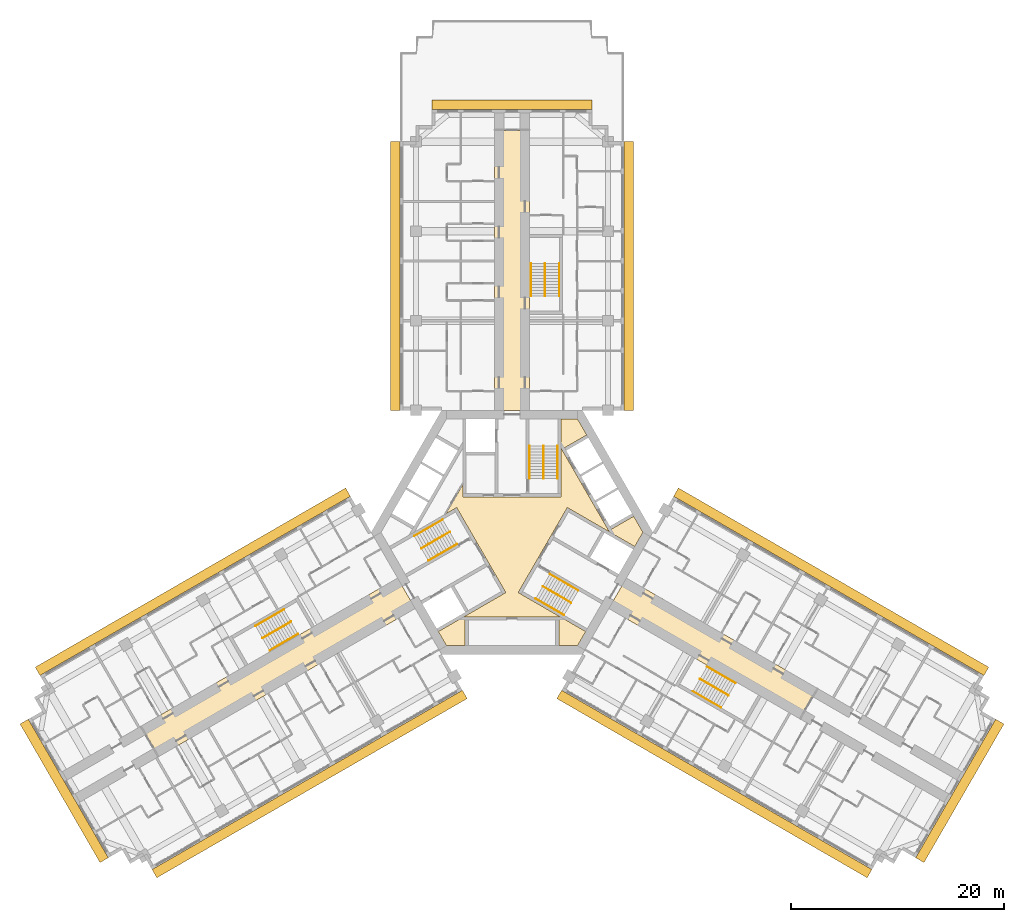
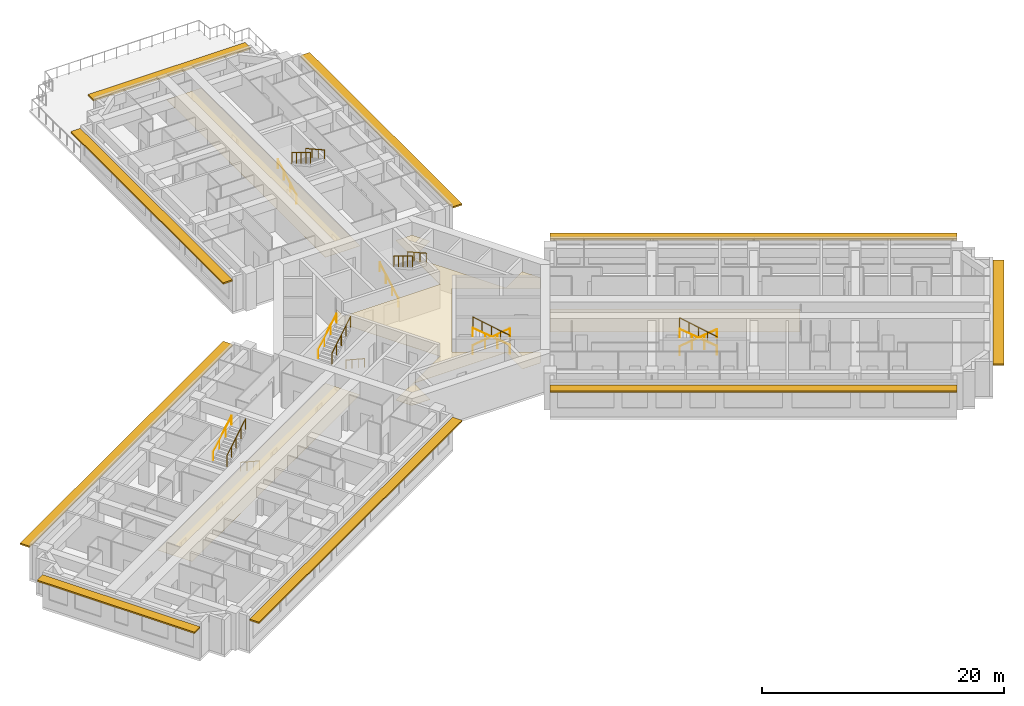
# One storey, part 15 of 16: 18 railings, 4 coverings, 3 shading devices.
"""IFC4 building model written with IfcOpenShell, lengths in metres."""

from ifc_helpers import new_model, si_unit, direction, frame, origin, origin_2d, place, context, subcontext, project, spatial, polyline, rectangle, circle, outline, extrude, material, layer, layer_set, type_object, element, save


model = new_model("IFC4")

# Units and contexts
model_context = context("Model", 3, precision=1e-05, world=origin(), true_north=direction((0.0, 1.0)))
body_context = subcontext(model_context, "Body", "Model", "MODEL_VIEW")
ifc_project = project(units=[si_unit("LENGTHUNIT", "METRE"), si_unit("AREAUNIT", "SQUARE_METRE"), si_unit("VOLUMEUNIT", "CUBIC_METRE"), si_unit("PLANEANGLEUNIT", "RADIAN"), si_unit("MASSUNIT", "GRAM", prefix="KILO")], contexts=[model_context])

# Site, building, storey
site_placement = place(None, origin())
site = spatial("IfcSite", under=ifc_project, at=site_placement, CompositionType="ELEMENT")
building_placement = place(site_placement, origin())
building = spatial("IfcBuilding", under=site, at=building_placement, Name="Impinga Residences", CompositionType="ELEMENT")
storey_placement = place(building_placement, frame((0.0, 0.0, 106.0)))
storey = spatial("IfcBuildingStorey", under=building, at=storey_placement, Name="L25", CompositionType="ELEMENT", Elevation=106.0)

# Coverings
ifc_material_1 = material(Name="Plasterboard 15 mm on steel hangers", Category="steel")
ifc_layer_1 = layer(ifc_material_1, 0.014892578125)
ifc_layer_set_1 = layer_set([ifc_layer_1], Name="Plasterboard 15 mm on steel hangers")
covering_type_1 = type_object("IfcCoveringType", Name="CL1 corridor ceiling, 15 mm plasterboard on hangers", PredefinedType="CEILING", material=ifc_layer_set_1)
covering_1_placement = place(storey_placement, frame((0.0, 0.0, 2.39990234375)))
element("IfcCovering", 1, at=covering_1_placement, inside=storey, type_object=covering_type_1, Name="Corridor ceiling CL1 L25-N00", PredefinedType="CEILING", context=body_context, shape_type="SweptSolid", body=[
    extrude(outline(polyline([(1.64990234375, 11.431640625), (-1.64990234375, 11.431640625), (-1.64990234375, 37.681640625), (1.64990234375, 37.681640625), (1.64990234375, 11.431640625)])), origin(), (0.0, 0.0, 1.0), 0.01513671875),
])
covering_2_placement = place(storey_placement, frame((0.0, 0.0, 2.39990234375)))
element("IfcCovering", 2, at=covering_2_placement, inside=storey, type_object=covering_type_1, Name="Corridor ceiling CL1 L25-W00", PredefinedType="CEILING", context=body_context, shape_type="SweptSolid", body=[
    extrude(outline(polyline([(-9.074951171875, -7.144775390625), (-10.72509765625, -4.286865234375), (-34.75732421875, -18.161865234375), (-33.107177734375, -21.019775390625), (-9.074951171875, -7.144775390625)])), origin(), (0.0, 0.0, 1.0), 0.01513671875),
])
covering_3_placement = place(storey_placement, frame((0.0, 0.0, 2.39990234375)))
element("IfcCovering", 3, at=covering_3_placement, inside=storey, type_object=covering_type_1, Name="Corridor ceiling CL1 L25-E00", PredefinedType="CEILING", context=body_context, shape_type="SweptSolid", body=[
    extrude(outline(polyline([(9.074951171875, -7.144775390625), (10.72509765625, -4.286865234375), (28.60888671875, -14.612060546875), (26.958740234375, -17.469970703125), (9.074951171875, -7.144775390625)])), origin(), (0.0, 0.0, 1.0), 0.01513671875),
])
ifc_material_2 = material(Name="Mineral fibre tiles 20 mm on exposed grid", Category="mineral fibre")
ifc_layer_2 = layer(ifc_material_2, 0.02001953125)
ifc_layer_set_2 = layer_set([ifc_layer_2], Name="CL2 lift lobby ceiling, 20 mm mineral fibre tiles")
covering_type_2 = type_object("IfcCoveringType", Name="CL2 lift lobby ceiling, 20 mm mineral fibre tiles", PredefinedType="CEILING", material=ifc_layer_set_2)
covering_4_placement = place(storey_placement, frame((0.0, 0.0, 2.39990234375)))
element("IfcCovering", 4, at=covering_4_placement, inside=storey, type_object=covering_type_2, Name="Lift lobby ceiling CL2 L25-C01", PredefinedType="CEILING", context=body_context, shape_type="SweptSolid", body=[
    extrude(outline(polyline([(5.183837890625, 2.318603515625), (0.583984375, -5.648681640625), (6.9072265625, -9.299560546875), (6.13818359375, -10.631591796875), (4.39990234375, -10.631591796875), (4.39990234375, -7.931640625), (-4.39990234375, -7.931640625), (-4.39990234375, -10.631591796875), (-6.13818359375, -10.631591796875), (-6.9072265625, -9.299560546875), (-0.583984375, -5.648681640625), (-5.183837890625, 2.318603515625), (-6.193359375, 1.73583984375), (-4.60009765625, 4.49560546875), (-4.60009765625, 3.330078125), (4.60009765625, 3.330078125), (4.60009765625, 10.631591796875), (6.13818359375, 10.631591796875), (7.007080078125, 9.126220703125), (4.6689453125, 7.7763671875), (9.06884765625, 0.1552734375), (11.4072265625, 1.50537109375), (12.276123046875, 0.0), (11.507080078125, -1.33203125), (5.183837890625, 2.318603515625)])), origin(), (0.0, 0.0, 1.0), 0.02001953125),
])

# Railings
ifc_material_3 = material(Name="Steel guard, powder coated", Category="steel")
railing_type_1 = type_object("IfcRailingType", Name="GR1 stair guard 1100", PredefinedType="GUARDRAIL", material=ifc_material_3)
railing_1_placement = place(storey_placement, frame((2.949951171875, 8.110107421875, 1.875)))
element("IfcRailing", 5, at=railing_1_placement, inside=storey, type_object=railing_type_1, Name="Stair guard GR1 ST1 L25", PredefinedType="GUARDRAIL", context=body_context, shape_type="SweptSolid", body=[
    extrude(circle(Radius=0.02392578125, at=origin_2d()), frame((0.0, 0.0, 1.076171875), z_axis=(0.0, -0.854177636135, 0.519981313056), x_axis=(1.0, 0.0, 0.0)), (0.0, 0.0, 1.0), 3.60595703125),
    extrude(circle(Radius=0.02099609375, at=origin_2d()), origin(), (0.0, 0.0, 1.0), 1.052001953125),
    extrude(circle(Radius=0.02099609375, at=origin_2d()), frame((0.0, -0.77001953125, 0.46875)), (0.0, 0.0, 1.0), 1.052001953125),
    extrude(circle(Radius=0.02099609375, at=origin_2d()), frame((0.0, -1.5400390625, 0.9375)), (0.0, 0.0, 1.0), 1.052001953125),
    extrude(circle(Radius=0.02099609375, at=origin_2d()), frame((0.0, -2.31005859375, 1.40625)), (0.0, 0.0, 1.0), 1.052001953125),
    extrude(circle(Radius=0.02099609375, at=origin_2d()), frame((0.0, -3.080078125, 1.875)), (0.0, 0.0, 1.0), 1.052001953125),
])
railing_2_placement = place(storey_placement, frame((-8.49853515625, -1.500244140625, 1.875)))
element("IfcRailing", 6, at=railing_2_placement, inside=storey, type_object=railing_type_1, Name="Stair guard GR1 ST2 L25", PredefinedType="GUARDRAIL", context=body_context, shape_type="SweptSolid", body=[
    extrude(circle(Radius=0.02392578125, at=origin_2d()), frame((0.0, 0.0, 1.076171875), z_axis=(0.739746383972, 0.427084037168, 0.519975492303), x_axis=(-0.499992328818, 0.866029832698, 0.0)), (0.0, 0.0, 1.0), 3.60595703125),
    extrude(circle(Radius=0.02099609375, at=origin_2d()), origin(), (0.0, 0.0, 1.0), 1.052001953125),
    extrude(circle(Radius=0.02099609375, at=origin_2d()), frame((0.6669921875, 0.385009765625, 0.46875)), (0.0, 0.0, 1.0), 1.052001953125),
    extrude(circle(Radius=0.02099609375, at=origin_2d()), frame((1.333740234375, 0.77001953125, 0.9375)), (0.0, 0.0, 1.0), 1.052001953125),
    extrude(circle(Radius=0.02099609375, at=origin_2d()), frame((2.00048828125, 1.155029296875, 1.40625)), (0.0, 0.0, 1.0), 1.052001953125),
    extrude(circle(Radius=0.02099609375, at=origin_2d()), frame((2.66748046875, 1.5400390625, 1.875)), (0.0, 0.0, 1.0), 1.052001953125),
])
railing_3_placement = place(storey_placement, frame((5.548583984375, -6.60986328125, 1.875)))
element("IfcRailing", 7, at=railing_3_placement, inside=storey, type_object=railing_type_1, Name="Stair guard GR1 ST3 L25", PredefinedType="GUARDRAIL", context=body_context, shape_type="SweptSolid", body=[
    extrude(circle(Radius=0.02392578125, at=origin_2d()), frame((0.0, 0.0, 1.076171875), z_axis=(-0.739746383972, 0.427084037168, 0.519975492303), x_axis=(-0.499992328818, -0.866029832698, 0.0)), (0.0, 0.0, 1.0), 3.60595703125),
    extrude(circle(Radius=0.02099609375, at=origin_2d()), origin(), (0.0, 0.0, 1.0), 1.052001953125),
    extrude(circle(Radius=0.02099609375, at=origin_2d()), frame((-0.6669921875, 0.385009765625, 0.46875)), (0.0, 0.0, 1.0), 1.052001953125),
    extrude(circle(Radius=0.02099609375, at=origin_2d()), frame((-1.333740234375, 0.77001953125, 0.9375)), (0.0, 0.0, 1.0), 1.052001953125),
    extrude(circle(Radius=0.02099609375, at=origin_2d()), frame((-2.00048828125, 1.155029296875, 1.40625)), (0.0, 0.0, 1.0), 1.052001953125),
    extrude(circle(Radius=0.02099609375, at=origin_2d()), frame((-2.66748046875, 1.5400390625, 1.875)), (0.0, 0.0, 1.0), 1.052001953125),
])
railing_4_placement = place(storey_placement, frame((3.10009765625, 25.21142578125, 1.875)))
element("IfcRailing", 8, at=railing_4_placement, inside=storey, type_object=railing_type_1, Name="Stair guard GR1 WS1 L25", PredefinedType="GUARDRAIL", context=body_context, shape_type="SweptSolid", body=[
    extrude(circle(Radius=0.02392578125, at=origin_2d()), frame((0.0, 0.0, 1.076171875), z_axis=(0.0, -0.854159328187, 0.520011386482), x_axis=(1.0, 0.0, 0.0)), (0.0, 0.0, 1.0), 3.605712890625),
    extrude(circle(Radius=0.02099609375, at=origin_2d()), origin(), (0.0, 0.0, 1.0), 1.052001953125),
    extrude(circle(Radius=0.02099609375, at=origin_2d()), frame((0.0, -0.77001953125, 0.46875)), (0.0, 0.0, 1.0), 1.052001953125),
    extrude(circle(Radius=0.02099609375, at=origin_2d()), frame((0.0, -1.5400390625, 0.9375)), (0.0, 0.0, 1.0), 1.052001953125),
    extrude(circle(Radius=0.02099609375, at=origin_2d()), frame((0.0, -2.309814453125, 1.40625)), (0.0, 0.0, 1.0), 1.052001953125),
    extrude(circle(Radius=0.02099609375, at=origin_2d()), frame((0.0, -3.079833984375, 1.875)), (0.0, 0.0, 1.0), 1.052001953125),
])
railing_5_placement = place(storey_placement, frame((-23.3837890625, -9.921142578125, 1.875)))
element("IfcRailing", 9, at=railing_5_placement, inside=storey, type_object=railing_type_1, Name="Stair guard GR1 WS2 L25", PredefinedType="GUARDRAIL", context=body_context, shape_type="SweptSolid", body=[
    extrude(circle(Radius=0.02392578125, at=origin_2d()), frame((0.0, 0.0, 1.076171875), z_axis=(0.739715726454, 0.427105428144, 0.52000153585), x_axis=(-0.500026652407, 0.866010015463, 0.0)), (0.0, 0.0, 1.0), 3.605712890625),
    extrude(circle(Radius=0.02099609375, at=origin_2d()), origin(), (0.0, 0.0, 1.0), 1.052001953125),
    extrude(circle(Radius=0.02099609375, at=origin_2d()), frame((0.666748046875, 0.385009765625, 0.46875)), (0.0, 0.0, 1.0), 1.052001953125),
    extrude(circle(Radius=0.02099609375, at=origin_2d()), frame((1.33349609375, 0.77001953125, 0.9375)), (0.0, 0.0, 1.0), 1.052001953125),
    extrude(circle(Radius=0.02099609375, at=origin_2d()), frame((2.00048828125, 1.155029296875, 1.40625)), (0.0, 0.0, 1.0), 1.052001953125),
    extrude(circle(Radius=0.02099609375, at=origin_2d()), frame((2.667236328125, 1.5400390625, 1.875)), (0.0, 0.0, 1.0), 1.052001953125),
])
railing_6_placement = place(storey_placement, frame((20.283935546875, -15.29052734375, 1.875)))
element("IfcRailing", 10, at=railing_6_placement, inside=storey, type_object=railing_type_1, Name="Stair guard GR1 WS3 L25", PredefinedType="GUARDRAIL", context=body_context, shape_type="SweptSolid", body=[
    extrude(circle(Radius=0.02392578125, at=origin_2d()), frame((0.0, 0.0, 1.076171875), z_axis=(-0.739746383972, 0.427084037168, 0.519975492303), x_axis=(-0.499992328818, -0.866029832698, 0.0)), (0.0, 0.0, 1.0), 3.60595703125),
    extrude(circle(Radius=0.02099609375, at=origin_2d()), origin(), (0.0, 0.0, 1.0), 1.052001953125),
    extrude(circle(Radius=0.02099609375, at=origin_2d()), frame((-0.6669921875, 0.385009765625, 0.46875)), (0.0, 0.0, 1.0), 1.052001953125),
    extrude(circle(Radius=0.02099609375, at=origin_2d()), frame((-1.333740234375, 0.77001953125, 0.9375)), (0.0, 0.0, 1.0), 1.052001953125),
    extrude(circle(Radius=0.02099609375, at=origin_2d()), frame((-2.00048828125, 1.155029296875, 1.40625)), (0.0, 0.0, 1.0), 1.052001953125),
    extrude(circle(Radius=0.02099609375, at=origin_2d()), frame((-2.66748046875, 1.5400390625, 1.875)), (0.0, 0.0, 1.0), 1.052001953125),
])
ifc_material_4 = material(Name="Steel handrail tube 42 mm, powder coated", Category="steel")
railing_type_2 = type_object("IfcRailingType", Name="HR1 stair handrail, 42 mm steel tube, 900 above the pitch line", PredefinedType="HANDRAIL", material=ifc_material_4)
railing_7_placement = place(storey_placement, frame((1.62109375, 5.030029296875, 0.15625)))
element("IfcRailing", 11, at=railing_7_placement, inside=storey, type_object=railing_type_2, Name="Stair handrail HR1 ST1 L25", PredefinedType="HANDRAIL", context=body_context, shape_type="SweptSolid", body=[
    extrude(circle(Radius=0.02099609375, at=origin_2d()), frame((0.0, 0.0, 0.87890625), z_axis=(0.0, 0.873241540666, 0.487287606713), x_axis=(-1.0, 0.0, 0.0)), (0.0, 0.0, 1.0), 3.527099609375),
    extrude(circle(Radius=0.012451171875, at=origin_2d()), origin(), (0.0, 0.0, 1.0), 0.85791015625),
    extrude(circle(Radius=0.012451171875, at=origin_2d()), frame((0.0, 1.026611328125, 0.572998046875)), (0.0, 0.0, 1.0), 0.85791015625),
    extrude(circle(Radius=0.012451171875, at=origin_2d()), frame((0.0, 2.053466796875, 1.145751953125)), (0.0, 0.0, 1.0), 0.85791015625),
    extrude(circle(Radius=0.012451171875, at=origin_2d()), frame((0.0, 3.080078125, 1.71875)), (0.0, 0.0, 1.0), 0.85791015625),
])
railing_8_placement = place(storey_placement, frame((4.279052734375, 8.110107421875, 2.03125)))
element("IfcRailing", 12, at=railing_8_placement, inside=storey, type_object=railing_type_2, Name="Stair handrail HR1 ST1 L25", PredefinedType="HANDRAIL", context=body_context, shape_type="SweptSolid", body=[
    extrude(circle(Radius=0.02099609375, at=origin_2d()), frame((0.0, 0.0, 0.87890625), z_axis=(0.0, -0.873241540666, 0.487287606713), x_axis=(1.0, 0.0, 0.0)), (0.0, 0.0, 1.0), 3.527099609375),
    extrude(circle(Radius=0.012451171875, at=origin_2d()), origin(), (0.0, 0.0, 1.0), 0.85791015625),
    extrude(circle(Radius=0.012451171875, at=origin_2d()), frame((0.0, -1.026611328125, 0.572998046875)), (0.0, 0.0, 1.0), 0.85791015625),
    extrude(circle(Radius=0.012451171875, at=origin_2d()), frame((0.0, -2.053466796875, 1.145751953125)), (0.0, 0.0, 1.0), 0.85791015625),
    extrude(circle(Radius=0.012451171875, at=origin_2d()), frame((0.0, -3.080078125, 1.71875)), (0.0, 0.0, 1.0), 0.85791015625),
])
railing_9_placement = place(storey_placement, frame((-5.16650390625, -1.111083984375, 0.15625)))
element("IfcRailing", 13, at=railing_9_placement, inside=storey, type_object=railing_type_2, Name="Stair handrail HR1 ST2 L25", PredefinedType="HANDRAIL", context=body_context, shape_type="SweptSolid", body=[
    extrude(circle(Radius=0.02099609375, at=origin_2d()), frame((0.0, 0.0, 0.87890625), z_axis=(-0.756255980417, -0.436615662133, 0.487281905742), x_axis=(0.499992328818, -0.866029832698, 0.0)), (0.0, 0.0, 1.0), 3.527099609375),
    extrude(circle(Radius=0.012451171875, at=origin_2d()), origin(), (0.0, 0.0, 1.0), 0.85791015625),
    extrude(circle(Radius=0.012451171875, at=origin_2d()), frame((-0.88916015625, -0.513427734375, 0.572998046875)), (0.0, 0.0, 1.0), 0.85791015625),
    extrude(circle(Radius=0.012451171875, at=origin_2d()), frame((-1.7783203125, -1.026611328125, 1.145751953125)), (0.0, 0.0, 1.0), 0.85791015625),
    extrude(circle(Radius=0.012451171875, at=origin_2d()), frame((-2.66748046875, -1.5400390625, 1.71875)), (0.0, 0.0, 1.0), 0.85791015625),
])
railing_10_placement = place(storey_placement, frame((-9.1630859375, -0.349365234375, 2.03125)))
element("IfcRailing", 14, at=railing_10_placement, inside=storey, type_object=railing_type_2, Name="Stair handrail HR1 ST2 L25", PredefinedType="HANDRAIL", context=body_context, shape_type="SweptSolid", body=[
    extrude(circle(Radius=0.02099609375, at=origin_2d()), frame((0.0, 0.0, 0.87890625), z_axis=(0.756255980417, 0.436615662133, 0.487281905742), x_axis=(-0.499992328818, 0.866029832698, 0.0)), (0.0, 0.0, 1.0), 3.527099609375),
    extrude(circle(Radius=0.012451171875, at=origin_2d()), origin(), (0.0, 0.0, 1.0), 0.85791015625),
    extrude(circle(Radius=0.012451171875, at=origin_2d()), frame((0.88916015625, 0.513427734375, 0.572998046875)), (0.0, 0.0, 1.0), 0.85791015625),
    extrude(circle(Radius=0.012451171875, at=origin_2d()), frame((1.7783203125, 1.026611328125, 1.145751953125)), (0.0, 0.0, 1.0), 0.85791015625),
    extrude(circle(Radius=0.012451171875, at=origin_2d()), frame((2.66748046875, 1.5400390625, 1.71875)), (0.0, 0.0, 1.0), 0.85791015625),
])
railing_11_placement = place(storey_placement, frame((3.545654296875, -3.9189453125, 0.15625)))
element("IfcRailing", 15, at=railing_11_placement, inside=storey, type_object=railing_type_2, Name="Stair handrail HR1 ST3 L25", PredefinedType="HANDRAIL", context=body_context, shape_type="SweptSolid", body=[
    extrude(circle(Radius=0.02099609375, at=origin_2d()), frame((0.0, 0.0, 0.87890625), z_axis=(0.756249203677, -0.436582492228, 0.487322141317), x_axis=(0.499967199496, 0.866044340336, 0.0)), (0.0, 0.0, 1.0), 3.52685546875),
    extrude(circle(Radius=0.012451171875, at=origin_2d()), origin(), (0.0, 0.0, 1.0), 0.85791015625),
    extrude(circle(Radius=0.012451171875, at=origin_2d()), frame((0.88916015625, -0.51318359375, 0.572998046875)), (0.0, 0.0, 1.0), 0.85791015625),
    extrude(circle(Radius=0.012451171875, at=origin_2d()), frame((1.778076171875, -1.026611328125, 1.145751953125)), (0.0, 0.0, 1.0), 0.85791015625),
    extrude(circle(Radius=0.012451171875, at=origin_2d()), frame((2.667236328125, -1.539794921875, 1.71875)), (0.0, 0.0, 1.0), 0.85791015625),
])
railing_12_placement = place(storey_placement, frame((4.884033203125, -7.7607421875, 2.03125)))
element("IfcRailing", 16, at=railing_12_placement, inside=storey, type_object=railing_type_2, Name="Stair handrail HR1 ST3 L25", PredefinedType="HANDRAIL", context=body_context, shape_type="SweptSolid", body=[
    extrude(circle(Radius=0.02099609375, at=origin_2d()), frame((0.0, 0.0, 0.87890625), z_axis=(-0.756255980417, 0.436615662133, 0.487281905742), x_axis=(-0.499992328818, -0.866029832698, 0.0)), (0.0, 0.0, 1.0), 3.527099609375),
    extrude(circle(Radius=0.012451171875, at=origin_2d()), origin(), (0.0, 0.0, 1.0), 0.85791015625),
    extrude(circle(Radius=0.012451171875, at=origin_2d()), frame((-0.88916015625, 0.513427734375, 0.572998046875)), (0.0, 0.0, 1.0), 0.85791015625),
    extrude(circle(Radius=0.012451171875, at=origin_2d()), frame((-1.7783203125, 1.026611328125, 1.145751953125)), (0.0, 0.0, 1.0), 0.85791015625),
    extrude(circle(Radius=0.012451171875, at=origin_2d()), frame((-2.66748046875, 1.5400390625, 1.71875)), (0.0, 0.0, 1.0), 0.85791015625),
])
railing_13_placement = place(storey_placement, frame((1.77099609375, 22.131591796875, 0.15625)))
element("IfcRailing", 17, at=railing_13_placement, inside=storey, type_object=railing_type_2, Name="Stair handrail HR1 WS1 L25", PredefinedType="HANDRAIL", context=body_context, shape_type="SweptSolid", body=[
    extrude(circle(Radius=0.02099609375, at=origin_2d()), frame((0.0, 0.0, 0.87890625), z_axis=(0.0, 0.873225103656, 0.487317061414), x_axis=(-1.0, 0.0, 0.0)), (0.0, 0.0, 1.0), 3.52685546875),
    extrude(circle(Radius=0.012451171875, at=origin_2d()), origin(), (0.0, 0.0, 1.0), 0.85791015625),
    extrude(circle(Radius=0.012451171875, at=origin_2d()), frame((0.0, 1.026611328125, 0.572998046875)), (0.0, 0.0, 1.0), 0.85791015625),
    extrude(circle(Radius=0.012451171875, at=origin_2d()), frame((0.0, 2.05322265625, 1.145751953125)), (0.0, 0.0, 1.0), 0.85791015625),
    extrude(circle(Radius=0.012451171875, at=origin_2d()), frame((0.0, 3.079833984375, 1.71875)), (0.0, 0.0, 1.0), 0.85791015625),
])
railing_14_placement = place(storey_placement, frame((4.428955078125, 25.21142578125, 2.03125)))
element("IfcRailing", 18, at=railing_14_placement, inside=storey, type_object=railing_type_2, Name="Stair handrail HR1 WS1 L25", PredefinedType="HANDRAIL", context=body_context, shape_type="SweptSolid", body=[
    extrude(circle(Radius=0.02099609375, at=origin_2d()), frame((0.0, 0.0, 0.87890625), z_axis=(0.0, -0.873225103656, 0.487317061414), x_axis=(1.0, 0.0, 0.0)), (0.0, 0.0, 1.0), 3.52685546875),
    extrude(circle(Radius=0.012451171875, at=origin_2d()), origin(), (0.0, 0.0, 1.0), 0.85791015625),
    extrude(circle(Radius=0.012451171875, at=origin_2d()), frame((0.0, -1.026611328125, 0.572998046875)), (0.0, 0.0, 1.0), 0.85791015625),
    extrude(circle(Radius=0.012451171875, at=origin_2d()), frame((0.0, -2.05322265625, 1.145751953125)), (0.0, 0.0, 1.0), 0.85791015625),
    extrude(circle(Radius=0.012451171875, at=origin_2d()), frame((0.0, -3.079833984375, 1.71875)), (0.0, 0.0, 1.0), 0.85791015625),
])
railing_15_placement = place(storey_placement, frame((-20.052001953125, -9.531982421875, 0.15625)))
element("IfcRailing", 19, at=railing_15_placement, inside=storey, type_object=railing_type_2, Name="Stair handrail HR1 WS2 L25", PredefinedType="HANDRAIL", context=body_context, shape_type="SweptSolid", body=[
    extrude(circle(Radius=0.02099609375, at=origin_2d()), frame((0.0, 0.0, 0.87890625), z_axis=(-0.756226348243, -0.436638517594, 0.487307413422), x_axis=(0.500026652407, -0.866010015463, 0.0)), (0.0, 0.0, 1.0), 3.527099609375),
    extrude(circle(Radius=0.012451171875, at=origin_2d()), origin(), (0.0, 0.0, 1.0), 0.85791015625),
    extrude(circle(Radius=0.012451171875, at=origin_2d()), frame((-0.88916015625, -0.513427734375, 0.572998046875)), (0.0, 0.0, 1.0), 0.85791015625),
    extrude(circle(Radius=0.012451171875, at=origin_2d()), frame((-1.778076171875, -1.026611328125, 1.145751953125)), (0.0, 0.0, 1.0), 0.85791015625),
    extrude(circle(Radius=0.012451171875, at=origin_2d()), frame((-2.667236328125, -1.5400390625, 1.71875)), (0.0, 0.0, 1.0), 0.85791015625),
])
railing_16_placement = place(storey_placement, frame((-24.04833984375, -8.77001953125, 2.03125)))
element("IfcRailing", 20, at=railing_16_placement, inside=storey, type_object=railing_type_2, Name="Stair handrail HR1 WS2 L25", PredefinedType="HANDRAIL", context=body_context, shape_type="SweptSolid", body=[
    extrude(circle(Radius=0.02099609375, at=origin_2d()), frame((0.0, 0.0, 0.87890625), z_axis=(0.756278834354, 0.436559638319, 0.487296631324), x_axis=(-0.499932877268, 0.866064153644, 0.0)), (0.0, 0.0, 1.0), 3.527099609375),
    extrude(circle(Radius=0.012451171875, at=origin_2d()), origin(), (0.0, 0.0, 1.0), 0.85791015625),
    extrude(circle(Radius=0.012451171875, at=origin_2d()), frame((0.88916015625, 0.51318359375, 0.572998046875)), (0.0, 0.0, 1.0), 0.85791015625),
    extrude(circle(Radius=0.012451171875, at=origin_2d()), frame((1.7783203125, 1.026611328125, 1.145751953125)), (0.0, 0.0, 1.0), 0.85791015625),
    extrude(circle(Radius=0.012451171875, at=origin_2d()), frame((2.66748046875, 1.539794921875, 1.71875)), (0.0, 0.0, 1.0), 0.85791015625),
])
railing_17_placement = place(storey_placement, frame((18.281005859375, -12.599609375, 0.15625)))
element("IfcRailing", 21, at=railing_17_placement, inside=storey, type_object=railing_type_2, Name="Stair handrail HR1 WS3 L25", PredefinedType="HANDRAIL", context=body_context, shape_type="SweptSolid", body=[
    extrude(circle(Radius=0.02099609375, at=origin_2d()), frame((0.0, 0.0, 0.87890625), z_axis=(0.756249203677, -0.436582492228, 0.487322141317), x_axis=(0.499967199496, 0.866044340336, 0.0)), (0.0, 0.0, 1.0), 3.52685546875),
    extrude(circle(Radius=0.012451171875, at=origin_2d()), origin(), (0.0, 0.0, 1.0), 0.85791015625),
    extrude(circle(Radius=0.012451171875, at=origin_2d()), frame((0.88916015625, -0.51318359375, 0.572998046875)), (0.0, 0.0, 1.0), 0.85791015625),
    extrude(circle(Radius=0.012451171875, at=origin_2d()), frame((1.778076171875, -1.026611328125, 1.145751953125)), (0.0, 0.0, 1.0), 0.85791015625),
    extrude(circle(Radius=0.012451171875, at=origin_2d()), frame((2.667236328125, -1.539794921875, 1.71875)), (0.0, 0.0, 1.0), 0.85791015625),
])
railing_18_placement = place(storey_placement, frame((19.619384765625, -16.44140625, 2.03125)))
element("IfcRailing", 22, at=railing_18_placement, inside=storey, type_object=railing_type_2, Name="Stair handrail HR1 WS3 L25", PredefinedType="HANDRAIL", context=body_context, shape_type="SweptSolid", body=[
    extrude(circle(Radius=0.02099609375, at=origin_2d()), frame((0.0, 0.0, 0.87890625), z_axis=(-0.756255980417, 0.436615662133, 0.487281905742), x_axis=(-0.499992328818, -0.866029832698, 0.0)), (0.0, 0.0, 1.0), 3.527099609375),
    extrude(circle(Radius=0.012451171875, at=origin_2d()), origin(), (0.0, 0.0, 1.0), 0.85791015625),
    extrude(circle(Radius=0.012451171875, at=origin_2d()), frame((-0.88916015625, 0.513427734375, 0.572998046875)), (0.0, 0.0, 1.0), 0.85791015625),
    extrude(circle(Radius=0.012451171875, at=origin_2d()), frame((-1.7783203125, 1.026611328125, 1.145751953125)), (0.0, 0.0, 1.0), 0.85791015625),
    extrude(circle(Radius=0.012451171875, at=origin_2d()), frame((-2.66748046875, 1.5400390625, 1.71875)), (0.0, 0.0, 1.0), 0.85791015625),
])

# Shading devices
ifc_material_5 = material(Name="Terracotta sunshade blades on aluminium brackets", Category="masonry")
ifc_layer_3 = layer(ifc_material_5, 0.14990234375)
ifc_layer_set_3 = layer_set([ifc_layer_3], Name="SS1 SUNSHADE terracotta sunshade band 900")
shading_device_type = type_object("IfcShadingDeviceType", Name="SS1 SUNSHADE terracotta sunshade band 900", PredefinedType="USERDEFINED", material=ifc_layer_set_3)
shading_device_1_placement = place(storey_placement, frame((-10.949951171875, 24.031494140625, 3.10009765625), z_axis=(0.0, 0.0, 1.0), x_axis=(0.0, 1.0, 0.0)))
element("IfcShadingDevice", 23, at=shading_device_1_placement, inside=storey, type_object=shading_device_type, Name="SUNSHADE band L25 NORTH WING", ObjectType="SUNSHADE", PredefinedType="USERDEFINED", context=body_context, shape_type="SweptSolid", body=[
    extrude(rectangle(XDim=25.199951171875, YDim=0.89990234375, at=origin_2d()), origin(), (0.0, 0.0, 1.0), 0.14990234375),
    extrude(rectangle(XDim=15.0, YDim=0.89990234375, at=origin_2d()), frame((16.050048828125, -10.949951171875, 0.0), z_axis=(0.0, 0.0, 1.0), x_axis=(0.0, -1.0, 0.0)), (0.0, 0.0, 1.0), 0.14990234375),
    extrude(rectangle(XDim=25.199951171875, YDim=0.89990234375, at=origin_2d()), frame((0.0, -21.89990234375, 0.0), z_axis=(0.0, 0.0, 1.0), x_axis=(-1.0, 0.0, 0.0)), (0.0, 0.0, 1.0), 0.14990234375),
])
shading_device_2_placement = place(storey_placement, frame((-41.986328125, -24.24072265625, 3.10009765625), z_axis=(0.0, 0.0, 1.0), x_axis=(-0.5, 0.866025403784, 0.0)))
element("IfcShadingDevice", 24, at=shading_device_2_placement, inside=storey, type_object=shading_device_type, Name="SUNSHADE band L25 WEST WING", ObjectType="SUNSHADE", PredefinedType="USERDEFINED", context=body_context, shape_type="SweptSolid", body=[
    extrude(rectangle(XDim=15.0, YDim=0.89990234375, at=origin_2d()), origin(), (0.0, 0.0, 1.0), 0.14990234375),
    extrude(rectangle(XDim=33.60009765625, YDim=0.89990234375, at=origin_2d()), frame((10.949951171875, -20.25, 0.0), z_axis=(0.0, 0.0, 1.0), x_axis=(0.0, -1.0, 0.0)), (0.0, 0.0, 1.0), 0.14990234375),
    extrude(rectangle(XDim=33.60009765625, YDim=0.89990234375, at=origin_2d()), frame((-10.949951171875, -20.250244140625, 0.0), z_axis=(0.0, 0.0, 1.0), x_axis=(0.0, 1.0, 0.0)), (0.0, 0.0, 1.0), 0.14990234375),
])
shading_device_3_placement = place(storey_placement, frame((29.92431640625, -4.6328125, 3.10009765625), z_axis=(0.0, 0.0, 1.0), x_axis=(0.866025403784, -0.5, 0.0)))
element("IfcShadingDevice", 25, at=shading_device_3_placement, inside=storey, type_object=shading_device_type, Name="SUNSHADE band L25 EAST WING", ObjectType="SUNSHADE", PredefinedType="USERDEFINED", context=body_context, shape_type="SweptSolid", body=[
    extrude(rectangle(XDim=33.60009765625, YDim=0.89990234375, at=origin_2d()), origin(), (0.0, 0.0, 1.0), 0.14990234375),
    extrude(rectangle(XDim=15.0, YDim=0.89990234375, at=origin_2d()), frame((20.25, -10.949951171875, 0.0), z_axis=(0.0, 0.0, 1.0), x_axis=(0.0, -1.0, 0.0)), (0.0, 0.0, 1.0), 0.14990234375),
    extrude(rectangle(XDim=33.60009765625, YDim=0.89990234375, at=origin_2d()), frame((-0.000244140625, -21.89990234375, 0.0), z_axis=(0.0, 0.0, 1.0), x_axis=(-1.0, 0.0, 0.0)), (0.0, 0.0, 1.0), 0.14990234375),
])

save(model, "model.ifc")
